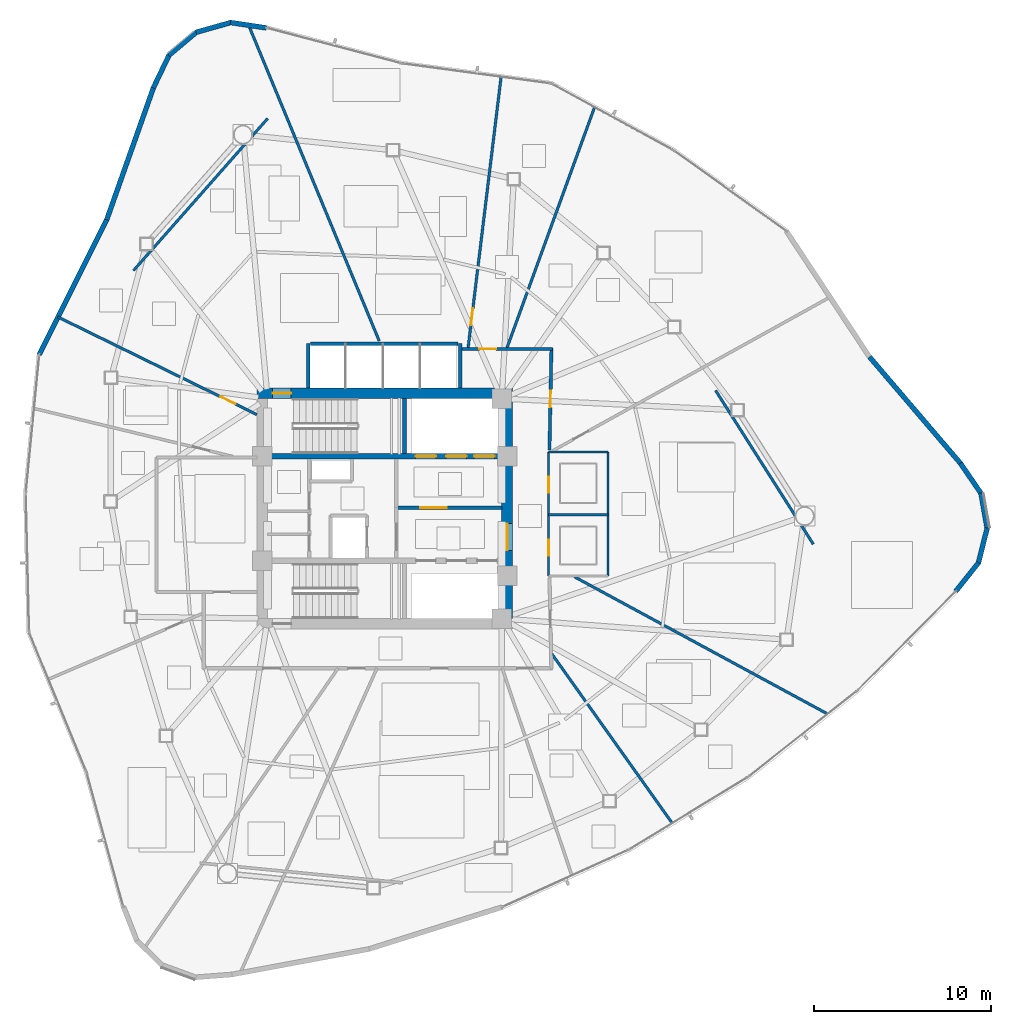
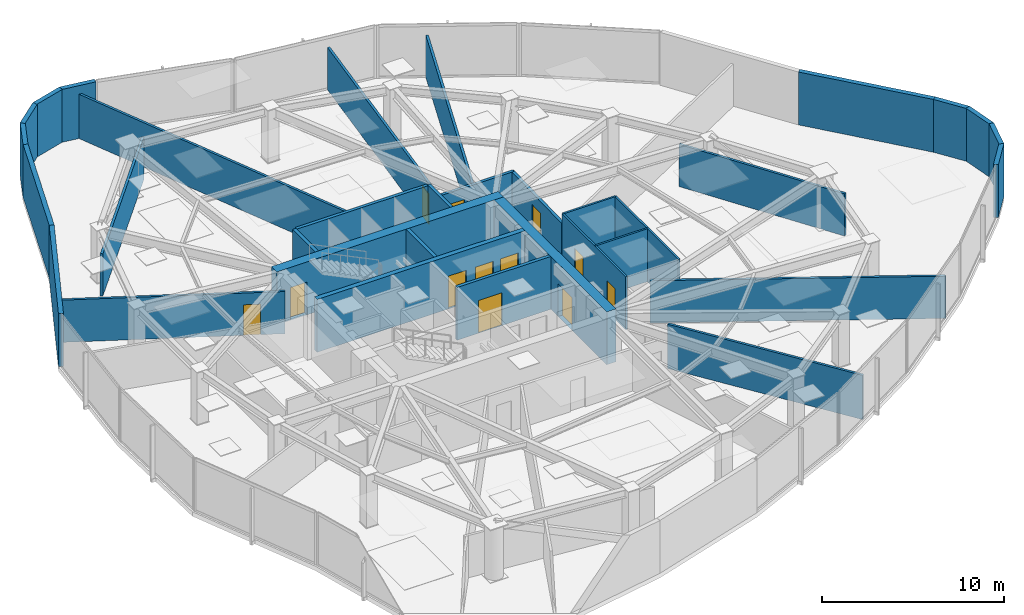
# One storey, part 12 of 17: 33 walls, 12 doors, 12 openings.
"""IFC4 building model written with IfcOpenShell, lengths in metres."""

from ifc_helpers import new_model, si_unit, direction, frame, frame_2d, origin, place, context, subcontext, project, spatial, rectangle, extrude, material, layer, layer_set, type_object, element, fill, save


model = new_model("IFC4")

# Units and contexts
model_context = context("Model", 3, precision=1e-05, world=origin(), true_north=direction((0.0, 1.0)))
body_context = subcontext(model_context, "Body", "Model", "MODEL_VIEW")
ifc_project = project(units=[si_unit("LENGTHUNIT", "METRE"), si_unit("AREAUNIT", "SQUARE_METRE"), si_unit("VOLUMEUNIT", "CUBIC_METRE"), si_unit("PLANEANGLEUNIT", "RADIAN"), si_unit("MASSUNIT", "GRAM", prefix="KILO")], contexts=[model_context])

# Site, building, storey
site_placement = place(None, origin())
site = spatial("IfcSite", under=ifc_project, at=site_placement, CompositionType="ELEMENT")
building_placement = place(site_placement, origin())
building = spatial("IfcBuilding", under=site, at=building_placement, Name="Tavelor Broadcast Tower", CompositionType="ELEMENT")
storey_placement = place(building_placement, frame((0.0, 0.0, 150.25)))
storey = spatial("IfcBuildingStorey", under=building, at=storey_placement, Name="L35", CompositionType="ELEMENT", Elevation=150.25)

# Wall, opening, door
ifc_material_1 = material(Name="Concrete C60/75", Category="concrete")
ifc_layer_1 = layer(ifc_material_1, 0.60009765625)
ifc_layer_set_1 = layer_set([ifc_layer_1], Name="Concrete C60/75")
wall_type_1 = type_object("IfcWallType", Name="Core Shear Wall 600 mm", PredefinedType="SHEAR", material=ifc_layer_set_1)
wall_1_placement = place(storey_placement, frame((42.800048828125, 51.5, 0.0), z_axis=(0.0, 0.0, 1.0), x_axis=(1.0, 0.0, 0.0)))
wall_1 = element("IfcWall", 1, at=wall_1_placement, inside=storey, type_object=wall_type_1, Name="L35 Central Core Shear Wall N", PredefinedType="SHEAR", context=body_context, shape_type="SweptSolid", body=[
    extrude(rectangle(XDim=14.39990234375, YDim=0.60009765625, at=frame_2d((7.199951171875, 0.0))), origin(), (0.0, 0.0, 1.0), 3.550048828125),
])
opening_1_placement = place(wall_1_placement, frame((0.8798828125, 0.0, 0.0)))
opening_1 = element("IfcOpeningElement", 2, at=opening_1_placement, cuts=wall_1, Name="Opening DR11", PredefinedType="OPENING", context=body_context, shape_type="SweptSolid", body=[
    extrude(rectangle(XDim=1.050048828125, YDim=2.199951171875, at=frame_2d((0.52490234375, 1.10009765625))), frame((0.0, 0.31005859375, 0.0), z_axis=(0.0, -1.0, 0.0), x_axis=(1.0, 0.0, 0.0)), (0.0, 0.0, 1.0), 0.6201171875),
])
ifc_material_2 = material(Name="Steel S355", Category="steel")
door_type_1 = type_object("IfcDoorType", Name="Stair Core Fire Escape Door 1050x2200", OperationType="NOTDEFINED", PredefinedType="DOOR", material=ifc_material_2)
door_1_placement = place(opening_1_placement, origin())
door_1 = element("IfcDoor", 3, at=door_1_placement, inside=storey, type_object=door_type_1, Name="L35 Stair ST1 Protected Exit Door", OperationType="SINGLE_SWING_LEFT", OverallHeight=2.199951171875, OverallWidth=1.050048828125, PredefinedType="DOOR", context=body_context, shape_type="SweptSolid", body=[
    extrude(rectangle(XDim=1.050048828125, YDim=2.199951171875, at=frame_2d((0.52490234375, 1.10009765625))), frame((0.0, 0.02490234375, 0.0), z_axis=(0.0, -1.0, 0.0), x_axis=(1.0, 0.0, 0.0)), (0.0, 0.0, 1.0), 0.050048828125),
])
fill(opening_1, door_1)

wall_2_placement = place(storey_placement, frame((56.89990234375, 38.800048828125, 0.0), z_axis=(0.0, 0.0, 1.0), x_axis=(0.0, 1.0, 0.0)))
wall_2 = element("IfcWall", 4, at=wall_2_placement, inside=storey, type_object=wall_type_1, Name="L35 Central Core Shear Wall E", PredefinedType="SHEAR", context=body_context, shape_type="SweptSolid", body=[
    extrude(rectangle(XDim=12.39990234375, YDim=0.60009765625, at=frame_2d((6.199951171875, 0.0))), origin(), (0.0, 0.0, 1.0), 3.550048828125),
])
opening_2_placement = place(wall_2_placement, frame((3.85009765625, 0.0, 0.0)))
opening_2 = element("IfcOpeningElement", 5, at=opening_2_placement, cuts=wall_2, Name="Opening DR14", PredefinedType="OPENING", context=body_context, shape_type="SweptSolid", body=[
    extrude(rectangle(XDim=1.5, YDim=2.199951171875, at=frame_2d((0.75, 1.10009765625))), frame((0.0, 0.31005859375, 0.0), z_axis=(0.0, -1.0, 0.0), x_axis=(1.0, 0.0, 0.0)), (0.0, 0.0, 1.0), 0.6201171875),
])
door_type_2 = type_object("IfcDoorType", Name="Firefighting Lobby Double Fire Door 1500x2200", OperationType="NOTDEFINED", PredefinedType="DOOR", material=ifc_material_2)
door_2_placement = place(opening_2_placement, origin())
door_2 = element("IfcDoor", 6, at=door_2_placement, inside=storey, type_object=door_type_2, Name="L35 Central Core Lobby Fire Door", OperationType="SINGLE_SWING_RIGHT", OverallHeight=2.199951171875, OverallWidth=1.5, PredefinedType="DOOR", context=body_context, shape_type="SweptSolid", body=[
    extrude(rectangle(XDim=1.5, YDim=2.199951171875, at=frame_2d((0.75, 1.10009765625))), frame((0.0, 0.02490234375, 0.0), z_axis=(0.0, -1.0, 0.0), x_axis=(1.0, 0.0, 0.0)), (0.0, 0.0, 1.0), 0.050048828125),
])
fill(opening_2, door_2)

# Wall, openings, doors
ifc_layer_2 = layer(ifc_material_1, 0.300048828125)
ifc_layer_set_2 = layer_set([ifc_layer_2], Name="Concrete C60/75")
wall_type_2 = type_object("IfcWallType", Name="Core Spine Shear Wall 300 mm C60", PredefinedType="SHEAR", material=ifc_layer_set_2)
wall_3_placement = place(storey_placement, frame((43.39990234375, 47.949951171875, 0.0), z_axis=(0.0, 0.0, 1.0), x_axis=(1.0, 0.0, 0.0)))
wall_3 = element("IfcWall", 7, at=wall_3_placement, inside=storey, type_object=wall_type_2, Name="L35 Central Core Shear Wall SP1", PredefinedType="SHEAR", context=body_context, shape_type="SweptSolid", body=[
    extrude(rectangle(XDim=13.2001953125, YDim=0.300048828125, at=frame_2d((6.60009765625, 0.0))), origin(), (0.0, 0.0, 1.0), 3.550048828125),
])
opening_3_placement = place(wall_3_placement, frame((8.344970703125, 0.0, 0.0)))
opening_3 = element("IfcOpeningElement", 8, at=opening_3_placement, cuts=wall_3, Name="Opening LD02", PredefinedType="OPENING", context=body_context, shape_type="SweptSolid", body=[
    extrude(rectangle(XDim=1.14990234375, YDim=2.199951171875, at=frame_2d((0.574951171875, 1.10009765625))), frame((0.0, 0.16015625, 0.0), z_axis=(0.0, -1.0, 0.0), x_axis=(1.0, 0.0, 0.0)), (0.0, 0.0, 1.0), 0.320068359375),
])
opening_4_placement = place(wall_3_placement, frame((10.06494140625, 0.0, 0.0)))
opening_4 = element("IfcOpeningElement", 9, at=opening_4_placement, cuts=wall_3, Name="Opening LD02", PredefinedType="OPENING", context=body_context, shape_type="SweptSolid", body=[
    extrude(rectangle(XDim=1.14990234375, YDim=2.199951171875, at=frame_2d((0.574951171875, 1.10009765625))), frame((0.0, 0.16015625, 0.0), z_axis=(0.0, -1.0, 0.0), x_axis=(1.0, 0.0, 0.0)), (0.0, 0.0, 1.0), 0.320068359375),
])
opening_5_placement = place(wall_3_placement, frame((11.64501953125, 0.0, 0.0)))
opening_5 = element("IfcOpeningElement", 10, at=opening_5_placement, cuts=wall_3, Name="Opening LD03", PredefinedType="OPENING", context=body_context, shape_type="SweptSolid", body=[
    extrude(rectangle(XDim=1.14990234375, YDim=2.199951171875, at=frame_2d((0.574951171875, 1.10009765625))), frame((0.0, 0.16015625, 0.0), z_axis=(0.0, -1.0, 0.0), x_axis=(1.0, 0.0, 0.0)), (0.0, 0.0, 1.0), 0.320068359375),
])
ifc_material_3 = material(Name="Reinforced Brushed Stainless Steel", Category="concrete")
door_type_3 = type_object("IfcDoorType", Name="Broadcast Goods Lift Sliding Landing Door 1250x2200", OperationType="NOTDEFINED", PredefinedType="DOOR", material=ifc_material_3)
door_3_placement = place(opening_5_placement, origin())
door_3 = element("IfcDoor", 11, at=door_3_placement, inside=storey, type_object=door_type_3, Name="L35 Lift SVL1 Sliding Landing Door", OperationType="SLIDING_TO_LEFT", OverallHeight=2.199951171875, OverallWidth=1.14990234375, PredefinedType="DOOR", context=body_context, shape_type="SweptSolid", body=[
    extrude(rectangle(XDim=1.14990234375, YDim=2.199951171875, at=frame_2d((0.574951171875, 1.10009765625))), frame((0.0, 0.02490234375, 0.0), z_axis=(0.0, -1.0, 0.0), x_axis=(1.0, 0.0, 0.0)), (0.0, 0.0, 1.0), 0.050048828125),
])
fill(opening_5, door_3)
ifc_material_4 = material(Name="Fire-Rated Stainless Steel", Category="steel")
door_type_4 = type_object("IfcDoorType", Name="Firefighting Lift Sliding Landing Door 1200x2200", OperationType="NOTDEFINED", PredefinedType="DOOR", material=ifc_material_4)
door_4_placement = place(opening_3_placement, origin())
door_4 = element("IfcDoor", 12, at=door_4_placement, inside=storey, type_object=door_type_4, Name="L35 Lift FFL1 Sliding Landing Door", OperationType="SLIDING_TO_LEFT", OverallHeight=2.199951171875, OverallWidth=1.14990234375, PredefinedType="DOOR", context=body_context, shape_type="SweptSolid", body=[
    extrude(rectangle(XDim=1.14990234375, YDim=2.199951171875, at=frame_2d((0.574951171875, 1.10009765625))), frame((0.0, 0.02490234375, 0.0), z_axis=(0.0, -1.0, 0.0), x_axis=(1.0, 0.0, 0.0)), (0.0, 0.0, 1.0), 0.050048828125),
])
fill(opening_3, door_4)
door_5_placement = place(opening_4_placement, origin())
door_5 = element("IfcDoor", 13, at=door_5_placement, inside=storey, type_object=door_type_4, Name="L35 Lift FFL2 Sliding Landing Door", OperationType="SLIDING_TO_LEFT", OverallHeight=2.199951171875, OverallWidth=1.14990234375, PredefinedType="DOOR", context=body_context, shape_type="SweptSolid", body=[
    extrude(rectangle(XDim=1.14990234375, YDim=2.199951171875, at=frame_2d((0.574951171875, 1.10009765625))), frame((0.0, 0.02490234375, 0.0), z_axis=(0.0, -1.0, 0.0), x_axis=(1.0, 0.0, 0.0)), (0.0, 0.0, 1.0), 0.050048828125),
])
fill(opening_4, door_5)

# Wall, opening, door
ifc_material_5 = material(Name="Calcium Silicate Fire Board 180 mm", Category="gypsum")
ifc_layer_3 = layer(ifc_material_5, 0.179931640625)
ifc_layer_set_3 = layer_set([ifc_layer_3], Name="Calcium Silicate Fire Board 180 mm")
wall_type_3 = type_object("IfcWallType", Name="Fire-Rated Corridor Partition Wall 180 mm", PredefinedType="PARTITIONING", material=ifc_layer_set_3)
wall_4_placement = place(storey_placement, frame((54.300048828125, 54.0, 0.0), z_axis=(0.0, 0.0, 1.0), x_axis=(1.0, 0.0, 0.0)))
wall_4 = element("IfcWall", 14, at=wall_4_placement, inside=storey, type_object=wall_type_3, Name="L35 Corridor Compartment Wall 01", PredefinedType="PARTITIONING", context=body_context, shape_type="SweptSolid", body=[
    extrude(rectangle(XDim=5.14990234375, YDim=0.179931640625, at=frame_2d((2.574951171875, 0.0))), origin(), (0.0, 0.0, 1.0), 2.8349609375),
])
opening_6_placement = place(wall_4_placement, frame((1.03271484375, 0.0, 0.0)))
opening_6 = element("IfcOpeningElement", 15, at=opening_6_placement, cuts=wall_4, Name="Opening DR18", PredefinedType="OPENING", context=body_context, shape_type="SweptSolid", body=[
    extrude(rectangle(XDim=0.949951171875, YDim=2.050048828125, at=frame_2d((0.47509765625, 1.02490234375))), frame((0.0, 0.10009765625, 0.0), z_axis=(0.0, -1.0, 0.0), x_axis=(1.0, 0.0, 0.0)), (0.0, 0.0, 1.0), 0.199951171875),
])
ifc_material_6 = material(Name="Timber Solid Core Hardwood", Category="wood")
door_type_5 = type_object("IfcDoorType", Name="Corridor Rated Compartment Door 950x2050", OperationType="NOTDEFINED", PredefinedType="DOOR", material=ifc_material_6)
door_6_placement = place(opening_6_placement, origin())
door_6 = element("IfcDoor", 16, at=door_6_placement, inside=storey, type_object=door_type_5, Name="L35 Colour Grading Studio Door R11", OperationType="SINGLE_SWING_RIGHT", OverallHeight=2.050048828125, OverallWidth=0.949951171875, PredefinedType="DOOR", context=body_context, shape_type="SweptSolid", body=[
    extrude(rectangle(XDim=0.949951171875, YDim=2.050048828125, at=frame_2d((0.47509765625, 1.02490234375))), frame((0.0, 0.02490234375, 0.0), z_axis=(0.0, -1.0, 0.0), x_axis=(1.0, 0.0, 0.0)), (0.0, 0.0, 1.0), 0.050048828125),
])
fill(opening_6, door_6)

wall_5_placement = place(storey_placement, frame((59.40087890625, 54.050048828125, 0.0), z_axis=(0.0, 0.0, 1.0), x_axis=(-0.019103170983, -0.999817517779, 0.0)))
wall_5 = element("IfcWall", 17, at=wall_5_placement, inside=storey, type_object=wall_type_3, Name="L35 Corridor Compartment Wall 02", PredefinedType="PARTITIONING", context=body_context, shape_type="SweptSolid", body=[
    extrude(rectangle(XDim=5.7509765625, YDim=0.179931640625, at=frame_2d((2.87548828125, 0.0))), origin(), (0.0, 0.0, 1.0), 2.8349609375),
])
opening_7_placement = place(wall_5_placement, frame((2.400390625, 0.0, 0.0)))
opening_7 = element("IfcOpeningElement", 18, at=opening_7_placement, cuts=wall_5, Name="Opening DR18", PredefinedType="OPENING", context=body_context, shape_type="SweptSolid", body=[
    extrude(rectangle(XDim=0.949951171875, YDim=2.050048828125, at=frame_2d((0.47509765625, 1.02490234375))), frame((0.0, 0.10009765625, 0.0), z_axis=(0.0, -1.0, 0.0), x_axis=(1.0, 0.0, 0.0)), (0.0, 0.0, 1.0), 0.199951171875),
])
door_7_placement = place(opening_7_placement, origin())
door_7 = element("IfcDoor", 19, at=door_7_placement, inside=storey, type_object=door_type_5, Name="L35 Documentary Research Study Door R12", OperationType="SINGLE_SWING_LEFT", OverallHeight=2.050048828125, OverallWidth=0.949951171875, PredefinedType="DOOR", context=body_context, shape_type="SweptSolid", body=[
    extrude(rectangle(XDim=0.949951171875, YDim=2.050048828125, at=frame_2d((0.47509765625, 1.02490234375))), frame((0.0, 0.02490234375, 0.0), z_axis=(0.0, -1.0, 0.0), x_axis=(1.0, 0.0, 0.0)), (0.0, 0.0, 1.0), 0.050048828125),
])
fill(opening_7, door_7)

# Walls
ifc_material_7 = material(Name="Precast Concrete C40/50", Category="concrete")
ifc_layer_4 = layer(ifc_material_7, 0.280029296875)
ifc_layer_set_4 = layer_set([ifc_layer_4], Name="Precast Concrete C40/50")
wall_type_4 = type_object("IfcWallType", Name="Insulated Precast Terracotta Facade Wall 280 mm", PredefinedType="STANDARD", material=ifc_layer_set_4)
wall_6_placement = place(storey_placement, frame((43.331787109375, 72.09912109375, 0.0), z_axis=(0.0, 0.0, 1.0), x_axis=(-0.988890950593, 0.148642819654, 0.0)))
element("IfcWall", 20, at=wall_6_placement, inside=storey, type_object=wall_type_4, Name="L35 Rounded Corner Structural Cladding Pier 01", PredefinedType="STANDARD", context=body_context, shape_type="SweptSolid", body=[
    extrude(rectangle(XDim=2.052978515625, YDim=0.280029296875, at=frame_2d((1.0263671875, 0.0))), origin(), (0.0, 0.0, 1.0), 3.550048828125),
])
wall_7_placement = place(storey_placement, frame((41.330810546875, 72.406005859375, 0.0), z_axis=(0.0, 0.0, 1.0), x_axis=(-0.962479313421, -0.27135506488, 0.0)))
element("IfcWall", 21, at=wall_7_placement, inside=storey, type_object=wall_type_4, Name="L35 Rounded Corner Structural Cladding Pier 02", PredefinedType="STANDARD", context=body_context, shape_type="SweptSolid", body=[
    extrude(rectangle(XDim=2.04150390625, YDim=0.280029296875, at=frame_2d((1.020751953125, 0.0))), origin(), (0.0, 0.0, 1.0), 3.550048828125),
])
wall_8_placement = place(storey_placement, frame((39.391845703125, 71.86572265625, 0.0), z_axis=(0.0, 0.0, 1.0), x_axis=(-0.76546919467, -0.643472541769, 0.0)))
element("IfcWall", 22, at=wall_8_placement, inside=storey, type_object=wall_type_4, Name="L35 Rounded Corner Structural Cladding Pier 03", PredefinedType="STANDARD", context=body_context, shape_type="SweptSolid", body=[
    extrude(rectangle(XDim=2.041259765625, YDim=0.280029296875, at=frame_2d((1.0205078125, 0.0))), origin(), (0.0, 0.0, 1.0), 3.550048828125),
])
wall_9_placement = place(storey_placement, frame((37.84716796875, 70.5751953125, 0.0), z_axis=(0.0, 0.0, 1.0), x_axis=(-0.43286567125, -0.901458435344, 0.0)))
element("IfcWall", 23, at=wall_9_placement, inside=storey, type_object=wall_type_4, Name="L35 Rounded Corner Structural Cladding Pier 04", PredefinedType="STANDARD", context=body_context, shape_type="SweptSolid", body=[
    extrude(rectangle(XDim=2.063720703125, YDim=0.280029296875, at=frame_2d((1.03173828125, 0.0))), origin(), (0.0, 0.0, 1.0), 3.550048828125),
])
wall_10_placement = place(storey_placement, frame((36.96533203125, 68.742431640625, 0.0), z_axis=(0.0, 0.0, 1.0), x_axis=(-0.333429803675, -0.942774928613, 0.0)))
element("IfcWall", 24, at=wall_10_placement, inside=storey, type_object=wall_type_4, Name="L35 Rounded Corner Structural Cladding Pier 05", PredefinedType="STANDARD", context=body_context, shape_type="SweptSolid", body=[
    extrude(rectangle(XDim=7.916748046875, YDim=0.280029296875, at=frame_2d((3.95849609375, 0.0))), origin(), (0.0, 0.0, 1.0), 3.550048828125),
])
wall_11_placement = place(storey_placement, frame((34.33740234375, 61.306396484375, 0.0), z_axis=(0.0, 0.0, 1.0), x_axis=(-0.447041681191, -0.894513127505, 0.0)))
element("IfcWall", 25, at=wall_11_placement, inside=storey, type_object=wall_type_4, Name="L35 Rounded Corner Structural Cladding Pier 06", PredefinedType="STANDARD", context=body_context, shape_type="SweptSolid", body=[
    extrude(rectangle(XDim=8.521240234375, YDim=0.280029296875, at=frame_2d((4.2607421875, 0.0))), origin(), (0.0, 0.0, 1.0), 3.550048828125),
])
wall_12_placement = place(storey_placement, frame((82.20263671875, 40.343017578125, 0.0), z_axis=(0.0, 0.0, 1.0), x_axis=(0.623127560827, 0.782120222816, 0.0)))
element("IfcWall", 26, at=wall_12_placement, inside=storey, type_object=wall_type_4, Name="L35 Rounded Corner Structural Cladding Pier 21", PredefinedType="STANDARD", context=body_context, shape_type="SweptSolid", body=[
    extrude(rectangle(XDim=2.052978515625, YDim=0.280029296875, at=frame_2d((1.0263671875, 0.0))), origin(), (0.0, 0.0, 1.0), 3.550048828125),
])
wall_13_placement = place(storey_placement, frame((83.468994140625, 41.92236328125, 0.0), z_axis=(0.0, 0.0, 1.0), x_axis=(0.246136012323, 0.969235298283, 0.0)))
element("IfcWall", 27, at=wall_13_placement, inside=storey, type_object=wall_type_4, Name="L35 Rounded Corner Structural Cladding Pier 22", PredefinedType="STANDARD", context=body_context, shape_type="SweptSolid", body=[
    extrude(rectangle(XDim=2.041259765625, YDim=0.280029296875, at=frame_2d((1.0205078125, 0.0))), origin(), (0.0, 0.0, 1.0), 3.550048828125),
])
wall_14_placement = place(storey_placement, frame((83.970458984375, 43.87158203125, 0.0), z_axis=(0.0, 0.0, 1.0), x_axis=(-0.17447430883, 0.984661726462, 0.0)))
element("IfcWall", 28, at=wall_14_placement, inside=storey, type_object=wall_type_4, Name="L35 Rounded Corner Structural Cladding Pier 23", PredefinedType="STANDARD", context=body_context, shape_type="SweptSolid", body=[
    extrude(rectangle(XDim=2.04150390625, YDim=0.280029296875, at=frame_2d((1.020751953125, 0.0))), origin(), (0.0, 0.0, 1.0), 3.550048828125),
])
wall_15_placement = place(storey_placement, frame((83.625244140625, 45.8544921875, 0.0), z_axis=(0.0, 0.0, 1.0), x_axis=(-0.564217382492, 0.82562627459, 0.0)))
element("IfcWall", 29, at=wall_15_placement, inside=storey, type_object=wall_type_4, Name="L35 Rounded Corner Structural Cladding Pier 24", PredefinedType="STANDARD", context=body_context, shape_type="SweptSolid", body=[
    extrude(rectangle(XDim=2.06396484375, YDim=0.280029296875, at=frame_2d((1.031982421875, 0.0))), origin(), (0.0, 0.0, 1.0), 3.550048828125),
])
wall_16_placement = place(storey_placement, frame((82.478759765625, 47.534912109375, 0.0), z_axis=(0.0, 0.0, 1.0), x_axis=(-0.649762180693, 0.76013755896, 0.0)))
element("IfcWall", 30, at=wall_16_placement, inside=storey, type_object=wall_type_4, Name="L35 Rounded Corner Structural Cladding Pier 25", PredefinedType="STANDARD", context=body_context, shape_type="SweptSolid", body=[
    extrude(rectangle(XDim=7.91650390625, YDim=0.280029296875, at=frame_2d((3.958251953125, 0.0))), origin(), (0.0, 0.0, 1.0), 3.550048828125),
])
ifc_material_8 = material(Name="Gypsum Acoustic Plasterboard 150 mm", Category="gypsum")
ifc_layer_5 = layer(ifc_material_8, 0.14990234375)
ifc_layer_set_5 = layer_set([ifc_layer_5], Name="Gypsum Acoustic Plasterboard 150 mm")
wall_type_5 = type_object("IfcWallType", Name="Interior Acoustic Partition Wall 150 mm", PredefinedType="PARTITIONING", material=ifc_layer_set_5)
wall_17_placement = place(storey_placement, frame((43.399658203125, 66.988525390625, 0.0), z_axis=(0.0, 0.0, 1.0), x_axis=(-0.661622343701, -0.749837231881, 0.0)))
element("IfcWall", 31, at=wall_17_placement, inside=storey, type_object=wall_type_5, Name="L35 Corner Tube Brace Furring Wall 1", PredefinedType="PARTITIONING", context=body_context, shape_type="SweptSolid", body=[
    extrude(rectangle(XDim=11.42724609375, YDim=0.14990234375, at=frame_2d((5.713623046875, 0.0))), origin(), (0.0, 0.0, 1.0), 2.8349609375),
])
wall_18_placement = place(storey_placement, frame((74.16259765625, 42.9931640625, 0.0), z_axis=(0.0, 0.0, 1.0), x_axis=(-0.53628142437, 0.844039237166, 0.0)))
element("IfcWall", 32, at=wall_18_placement, inside=storey, type_object=wall_type_5, Name="L35 Corner Tube Brace Furring Wall 3", PredefinedType="PARTITIONING", context=body_context, shape_type="SweptSolid", body=[
    extrude(rectangle(XDim=10.266845703125, YDim=0.14990234375, at=frame_2d((5.13330078125, 0.0))), origin(), (0.0, 0.0, 1.0), 2.8349609375),
])
wall_19_placement = place(storey_placement, frame((56.8740234375, 54.0, 0.0), z_axis=(0.0, 0.0, 1.0), x_axis=(0.341852479972, 0.939753628318, 0.0)))
element("IfcWall", 33, at=wall_19_placement, inside=storey, type_object=wall_type_5, Name="L35 Radial Compartment Wall 02", PredefinedType="PARTITIONING", context=body_context, shape_type="SweptSolid", body=[
    extrude(rectangle(XDim=14.51123046875, YDim=0.14990234375, at=frame_2d((7.255615234375, 0.0))), origin(), (0.0, 0.0, 1.0), 2.8349609375),
])

# Wall, opening, door
wall_20_placement = place(storey_placement, frame((54.695556640625, 54.0, 0.0), z_axis=(0.0, 0.0, 1.0), x_axis=(0.12085747381, 0.99266987011, 0.0)))
wall_20 = element("IfcWall", 34, at=wall_20_placement, inside=storey, type_object=wall_type_5, Name="L35 Radial Compartment Wall 03", PredefinedType="PARTITIONING", context=body_context, shape_type="SweptSolid", body=[
    extrude(rectangle(XDim=15.465576171875, YDim=0.14990234375, at=frame_2d((7.73291015625, 0.0))), origin(), (0.0, 0.0, 1.0), 2.8349609375),
])
opening_8_placement = place(wall_20_placement, frame((1.35009765625, 0.0, 0.0)))
opening_8 = element("IfcOpeningElement", 35, at=opening_8_placement, cuts=wall_20, Name="Opening DR18", PredefinedType="OPENING", context=body_context, shape_type="SweptSolid", body=[
    extrude(rectangle(XDim=0.949951171875, YDim=2.050048828125, at=frame_2d((0.47509765625, 1.02490234375))), frame((0.0, 0.0849609375, 0.0), z_axis=(0.0, -1.0, 0.0), x_axis=(1.0, 0.0, 0.0)), (0.0, 0.0, 1.0), 0.169921875),
])
door_8_placement = place(opening_8_placement, origin())
door_8 = element("IfcDoor", 36, at=door_8_placement, inside=storey, type_object=door_type_5, Name="L35 Suite Connecting Door 10", OperationType="SINGLE_SWING_RIGHT", OverallHeight=2.050048828125, OverallWidth=0.949951171875, PredefinedType="DOOR", context=body_context, shape_type="SweptSolid", body=[
    extrude(rectangle(XDim=0.949951171875, YDim=2.050048828125, at=frame_2d((0.47509765625, 1.02490234375))), frame((0.0, 0.02490234375, 0.0), z_axis=(0.0, -1.0, 0.0), x_axis=(1.0, 0.0, 0.0)), (0.0, 0.0, 1.0), 0.050048828125),
])
fill(opening_8, door_8)

# Wall
wall_21_placement = place(storey_placement, frame((49.692138671875, 54.449951171875, 0.0), z_axis=(0.0, 0.0, 1.0), x_axis=(-0.382144046981, 0.924102768829, 0.0)))
element("IfcWall", 37, at=wall_21_placement, inside=storey, type_object=wall_type_5, Name="L35 Radial Compartment Wall 04", PredefinedType="PARTITIONING", context=body_context, shape_type="SweptSolid", body=[
    extrude(rectangle(XDim=19.272705078125, YDim=0.14990234375, at=frame_2d((9.63623046875, 0.0))), origin(), (0.0, 0.0, 1.0), 2.97509765625),
])

# Wall, opening, door
wall_22_placement = place(storey_placement, frame((42.800048828125, 50.29736328125, 0.0), z_axis=(0.0, 0.0, 1.0), x_axis=(-0.897818546691, 0.440365594951, 0.0)))
wall_22 = element("IfcWall", 38, at=wall_22_placement, inside=storey, type_object=wall_type_5, Name="L35 Radial Compartment Wall 05", PredefinedType="PARTITIONING", context=body_context, shape_type="SweptSolid", body=[
    extrude(rectangle(XDim=12.501708984375, YDim=0.14990234375, at=frame_2d((6.2509765625, 0.0))), origin(), (0.0, 0.0, 1.0), 2.8349609375),
])
opening_9_placement = place(wall_22_placement, frame((1.35009765625, 0.0, 0.0)))
opening_9 = element("IfcOpeningElement", 39, at=opening_9_placement, cuts=wall_22, Name="Opening DR18", PredefinedType="OPENING", context=body_context, shape_type="SweptSolid", body=[
    extrude(rectangle(XDim=0.949951171875, YDim=2.050048828125, at=frame_2d((0.47509765625, 1.02490234375))), frame((0.0, 0.0849609375, 0.0), z_axis=(0.0, -1.0, 0.0), x_axis=(1.0, 0.0, 0.0)), (0.0, 0.0, 1.0), 0.169921875),
])
door_9_placement = place(opening_9_placement, origin())
door_9 = element("IfcDoor", 40, at=door_9_placement, inside=storey, type_object=door_type_5, Name="L35 Suite Connecting Door 9", OperationType="SINGLE_SWING_LEFT", OverallHeight=2.050048828125, OverallWidth=0.949951171875, PredefinedType="DOOR", context=body_context, shape_type="SweptSolid", body=[
    extrude(rectangle(XDim=0.949951171875, YDim=2.050048828125, at=frame_2d((0.47509765625, 1.02490234375))), frame((0.0, 0.02490234375, 0.0), z_axis=(0.0, -1.0, 0.0), x_axis=(1.0, 0.0, 0.0)), (0.0, 0.0, 1.0), 0.050048828125),
])
fill(opening_9, door_9)

# Walls
wall_23_placement = place(storey_placement, frame((59.38134765625, 36.86865234375, 0.0), z_axis=(0.0, 0.0, 1.0), x_axis=(0.579466969075, -0.814995724989, 0.0)))
element("IfcWall", 41, at=wall_23_placement, inside=storey, type_object=wall_type_5, Name="L35 Radial Compartment Wall 11", PredefinedType="PARTITIONING", context=body_context, shape_type="SweptSolid", body=[
    extrude(rectangle(XDim=11.796142578125, YDim=0.14990234375, at=frame_2d((5.89794921875, 0.0))), origin(), (0.0, 0.0, 1.0), 2.97509765625),
])
wall_24_placement = place(storey_placement, frame((60.70556640625, 41.14990234375, 0.0), z_axis=(0.0, 0.0, 1.0), x_axis=(0.879232941784, -0.476392101195, 0.0)))
element("IfcWall", 42, at=wall_24_placement, inside=storey, type_object=wall_type_5, Name="L35 Radial Compartment Wall 12", PredefinedType="PARTITIONING", context=body_context, shape_type="SweptSolid", body=[
    extrude(rectangle(XDim=16.241455078125, YDim=0.14990234375, at=frame_2d((8.12060546875, 0.0))), origin(), (0.0, 0.0, 1.0), 2.8349609375),
])
ifc_material_9 = material(Name="Concrete Blockwork 200 mm", Category="masonry")
ifc_layer_6 = layer(ifc_material_9, 0.199951171875)
ifc_layer_set_6 = layer_set([ifc_layer_6], Name="Concrete Blockwork 200 mm")
wall_type_6 = type_object("IfcWallType", Name="Lift Hoistway Rated Front Wall 200 mm", PredefinedType="PARTITIONING", material=ifc_layer_set_6)
wall_25_placement = place(storey_placement, frame((45.820068359375, 54.300048828125, 0.0), z_axis=(0.0, 0.0, 1.0), x_axis=(1.0, 0.0, 0.0)))
element("IfcWall", 43, at=wall_25_placement, inside=storey, type_object=wall_type_6, Name="L35 High-Rise Lift Hoistway Front Wall", PredefinedType="PARTITIONING", context=body_context, shape_type="SweptSolid", body=[
    extrude(rectangle(XDim=8.309814453125, YDim=0.199951171875, at=frame_2d((4.15478515625, 0.0))), origin(), (0.0, 0.0, 1.0), 3.550048828125),
])
ifc_layer_7 = layer(ifc_material_9, 0.199951171875)
ifc_layer_set_7 = layer_set([ifc_layer_7], Name="Concrete Blockwork 200 mm")
wall_type_7 = type_object("IfcWallType", Name="Lift and Riser Shaft Enclosure Wall 200 mm", PredefinedType="PARTITIONING", material=ifc_layer_set_7)
for number, where, z_axis, x_axis, name in (
    (44, (45.699951171875, 51.800048828125, 0.0), (0.0, 0.0, 1.0), (0.0, 1.0, 0.0), "L35 High-Rise Lift Shaft West Wall"),
    (45, (54.25, 51.800048828125, 0.0), (0.0, 0.0, 1.0), (0.0, 1.0, 0.0), "L35 High-Rise Lift Shaft East Wall"),
):
    element("IfcWall", number, at=place(storey_placement, frame(where, z_axis=z_axis, x_axis=x_axis)), inside=storey, type_object=wall_type_7, Name=name, PredefinedType="PARTITIONING", context=body_context, shape_type="SweptSolid", body=[
        extrude(rectangle(XDim=2.5, YDim=0.199951171875, at=frame_2d((1.25, 0.0))), origin(), (0.0, 0.0, 1.0), 3.550048828125),
    ])

# Wall, opening, door
wall_26_placement = place(storey_placement, frame((50.64990234375, 45.050048828125, 0.0), z_axis=(0.0, 0.0, 1.0), x_axis=(1.0, 0.0, 0.0)))
wall_26 = element("IfcWall", 46, at=wall_26_placement, inside=storey, type_object=wall_type_7, Name="L35 Firefighting Lobby South Wall", PredefinedType="PARTITIONING", context=body_context, shape_type="SweptSolid", body=[
    extrude(rectangle(XDim=5.9501953125, YDim=0.199951171875, at=frame_2d((2.97509765625, 0.0))), origin(), (0.0, 0.0, 1.0), 3.550048828125),
])
opening_10_placement = place(wall_26_placement, frame((1.35009765625, 0.0, 0.0)))
opening_10 = element("IfcOpeningElement", 47, at=opening_10_placement, cuts=wall_26, Name="Opening DR14", PredefinedType="OPENING", context=body_context, shape_type="SweptSolid", body=[
    extrude(rectangle(XDim=1.5, YDim=2.199951171875, at=frame_2d((0.75, 1.10009765625))), frame((0.0, 0.10986328125, 0.0), z_axis=(0.0, -1.0, 0.0), x_axis=(1.0, 0.0, 0.0)), (0.0, 0.0, 1.0), 0.219970703125),
])
door_10_placement = place(opening_10_placement, origin())
door_10 = element("IfcDoor", 48, at=door_10_placement, inside=storey, type_object=door_type_2, Name="L35 Firefighting Lobby Compartment Door", OperationType="SINGLE_SWING_LEFT", OverallHeight=2.199951171875, OverallWidth=1.5, PredefinedType="DOOR", context=body_context, shape_type="SweptSolid", body=[
    extrude(rectangle(XDim=1.5, YDim=2.199951171875, at=frame_2d((0.75, 1.10009765625))), frame((0.0, 0.02490234375, 0.0), z_axis=(0.0, -1.0, 0.0), x_axis=(1.0, 0.0, 0.0)), (0.0, 0.0, 1.0), 0.050048828125),
])
fill(opening_10, door_10)

# Wall, openings, doors
ifc_material_10 = material(Name="Moisture-Resistant Plasterboard 120 mm", Category="gypsum")
ifc_layer_8 = layer(ifc_material_10, 0.1201171875)
ifc_layer_set_8 = layer_set([ifc_layer_8], Name="Moisture-Resistant Plasterboard 120 mm")
wall_type_8 = type_object("IfcWallType", Name="Moisture-Resistant Wet-Room Partition 120 mm", PredefinedType="PARTITIONING", material=ifc_layer_set_8)
wall_27_placement = place(storey_placement, frame((59.239990234375, 41.199951171875, 0.0), z_axis=(0.0, 0.0, 1.0), x_axis=(0.0, 1.0, 0.0)))
wall_27 = element("IfcWall", 49, at=wall_27_placement, inside=storey, type_object=wall_type_8, Name="L35 Floor Washrooms West Wall", PredefinedType="PARTITIONING", context=body_context, shape_type="SweptSolid", body=[
    extrude(rectangle(XDim=7.0, YDim=0.1201171875, at=frame_2d((3.5, 0.0))), origin(), (0.0, 0.0, 1.0), 3.550048828125),
])
opening_11_placement = place(wall_27_placement, frame((1.14990234375, 0.0, 0.0)))
opening_11 = element("IfcOpeningElement", 50, at=opening_11_placement, cuts=wall_27, Name="Opening DR32", PredefinedType="OPENING", context=body_context, shape_type="SweptSolid", body=[
    extrude(rectangle(XDim=0.89990234375, YDim=2.050048828125, at=frame_2d((0.449951171875, 1.02490234375))), frame((0.0, 0.070068359375, 0.0), z_axis=(0.0, -1.0, 0.0), x_axis=(1.0, 0.0, 0.0)), (0.0, 0.0, 1.0), 0.14013671875),
])
opening_12_placement = place(wall_27_placement, frame((4.699951171875, 0.0, 0.0)))
opening_12 = element("IfcOpeningElement", 51, at=opening_12_placement, cuts=wall_27, Name="Opening DR32", PredefinedType="OPENING", context=body_context, shape_type="SweptSolid", body=[
    extrude(rectangle(XDim=0.89990234375, YDim=2.050048828125, at=frame_2d((0.449951171875, 1.02490234375))), frame((0.0, 0.070068359375, 0.0), z_axis=(0.0, -1.0, 0.0), x_axis=(1.0, 0.0, 0.0)), (0.0, 0.0, 1.0), 0.14013671875),
])
door_type_6 = type_object("IfcDoorType", Name="Accessible Washroom Door 900x2050", OperationType="NOTDEFINED", PredefinedType="DOOR", material=ifc_material_6)
door_11_placement = place(opening_11_placement, origin())
door_11 = element("IfcDoor", 52, at=door_11_placement, inside=storey, type_object=door_type_6, Name="L35 Accessible WC Door", OperationType="SINGLE_SWING_LEFT", OverallHeight=2.050048828125, OverallWidth=0.89990234375, PredefinedType="DOOR", context=body_context, shape_type="SweptSolid", body=[
    extrude(rectangle(XDim=0.89990234375, YDim=2.050048828125, at=frame_2d((0.449951171875, 1.02490234375))), frame((0.0, 0.02490234375, 0.0), z_axis=(0.0, -1.0, 0.0), x_axis=(1.0, 0.0, 0.0)), (0.0, 0.0, 1.0), 0.050048828125),
])
fill(opening_11, door_11)
door_12_placement = place(opening_12_placement, origin())
door_12 = element("IfcDoor", 53, at=door_12_placement, inside=storey, type_object=door_type_6, Name="L35 Staff Washroom WC Door", OperationType="SINGLE_SWING_RIGHT", OverallHeight=2.050048828125, OverallWidth=0.89990234375, PredefinedType="DOOR", context=body_context, shape_type="SweptSolid", body=[
    extrude(rectangle(XDim=0.89990234375, YDim=2.050048828125, at=frame_2d((0.449951171875, 1.02490234375))), frame((0.0, 0.02490234375, 0.0), z_axis=(0.0, -1.0, 0.0), x_axis=(1.0, 0.0, 0.0)), (0.0, 0.0, 1.0), 0.050048828125),
])
fill(opening_12, door_12)

# Walls
for number, where, z_axis, x_axis, name in (
    (54, (59.239990234375, 44.64990234375, 0.0), (0.0, 0.0, 1.0), (1.0, 0.0, 0.0), "L35 Floor Washrooms Divider Wall"),
    (55, (59.239990234375, 48.199951171875, 0.0), (0.0, 0.0, 1.0), (1.0, 0.0, 0.0), "L35 Floor Washrooms North Wall"),
):
    element("IfcWall", number, at=place(storey_placement, frame(where, z_axis=z_axis, x_axis=x_axis)), inside=storey, type_object=wall_type_8, Name=name, PredefinedType="PARTITIONING", context=body_context, shape_type="SweptSolid", body=[
        extrude(rectangle(XDim=3.340087890625, YDim=0.1201171875, at=frame_2d((1.669921875, 0.0))), origin(), (0.0, 0.0, 1.0), 3.550048828125),
    ])
wall_28_placement = place(storey_placement, frame((62.580078125, 41.199951171875, 0.0), z_axis=(0.0, 0.0, 1.0), x_axis=(0.0, 1.0, 0.0)))
element("IfcWall", 56, at=wall_28_placement, inside=storey, type_object=wall_type_8, Name="L35 Floor Washrooms East Wall", PredefinedType="PARTITIONING", context=body_context, shape_type="SweptSolid", body=[
    extrude(rectangle(XDim=7.0, YDim=0.1201171875, at=frame_2d((3.5, 0.0))), origin(), (0.0, 0.0, 1.0), 3.550048828125),
])
ifc_material_11 = material(Name="Concrete C40/50", Category="concrete")
ifc_layer_9 = layer(ifc_material_11, 0.219970703125)
ifc_layer_set_9 = layer_set([ifc_layer_9], Name="Concrete C40/50")
wall_type_9 = type_object("IfcWallType", Name="Structural Stairwell Shear Wall 220 mm", PredefinedType="SHEAR", material=ifc_layer_set_9)
wall_29_placement = place(storey_placement, frame((51.110107421875, 48.10009765625, 0.0), z_axis=(0.0, 0.0, 1.0), x_axis=(0.0, 1.0, 0.0)))
element("IfcWall", 57, at=wall_29_placement, inside=storey, type_object=wall_type_9, Name="L35 Stair ST1 Structural Shaft Wall", PredefinedType="SHEAR", context=body_context, shape_type="SweptSolid", body=[
    extrude(rectangle(XDim=3.099853515625, YDim=0.219970703125, at=frame_2d((1.5498046875, 0.0))), origin(), (0.0, 0.0, 1.0), 3.550048828125),
])

save(model, "model.ifc")
